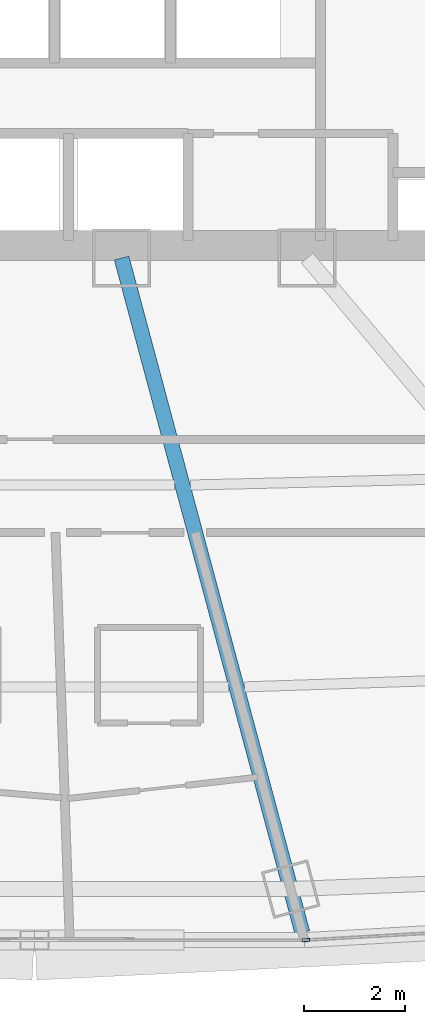
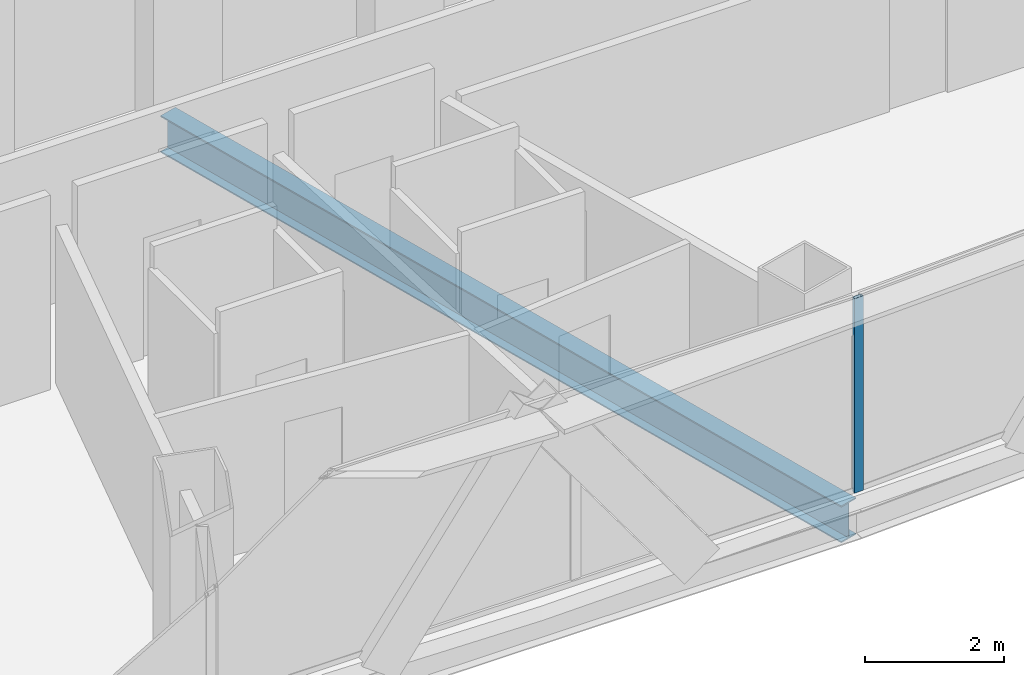
# One storey, part 12 of 39: 1 beam, 1 member, 1 element without a shape of its own.
"""IFC4 building model written with IfcOpenShell, lengths in metres."""

from ifc_helpers import new_model, si_unit, direction, frame, origin, origin_2d, place, context, subcontext, project, spatial, hollow_rectangle, i_section, extrude, source, transform, mapped, material, layer, layer_set, material_profile, profile_set, type_object, element, aggregate, save


model = new_model("IFC4")

# Units and contexts
model_context = context("Model", 3, precision=1e-05, world=origin(), true_north=direction((0.0, 1.0)))
body_context = subcontext(model_context, "Body", "Model", "MODEL_VIEW")
ifc_project = project(units=[si_unit("LENGTHUNIT", "METRE"), si_unit("AREAUNIT", "SQUARE_METRE"), si_unit("VOLUMEUNIT", "CUBIC_METRE"), si_unit("PLANEANGLEUNIT", "RADIAN"), si_unit("MASSUNIT", "GRAM", prefix="KILO"), si_unit("THERMODYNAMICTEMPERATUREUNIT", "KELVIN"), si_unit("POWERUNIT", "WATT")], contexts=[model_context])

# Site, building, storey
site_placement = place(None, origin())
site = spatial("IfcSite", under=ifc_project, at=site_placement, CompositionType="ELEMENT")
building_placement = place(site_placement, origin())
building = spatial("IfcBuilding", under=site, at=building_placement, Name="Yunzhuo Pagoda Commons", CompositionType="ELEMENT")
storey_placement = place(building_placement, frame((0.0, 0.0, 162.949951171875)))
storey = spatial("IfcBuildingStorey", under=building, at=storey_placement, Name="L41", CompositionType="ELEMENT", Elevation=162.949951171875)

# Beam
ifc_material_1 = material(Name="Structural steel Q355B", Category="steel")
ifc_material_profile_1 = material_profile(ifc_material_1, i_section(OverallWidth=0.300048828125, OverallDepth=0.64990234375, WebThickness=0.012939453125, FlangeThickness=0.02197265625, at=origin_2d()), Name="Structural steel Q355B")
ifc_profile_set_1 = profile_set([ifc_material_profile_1], Name="Structural steel Q355B")
beam_type = type_object("IfcBeamType", Name="B-RG2 Beam HN 650x300x13x22", PredefinedType="BEAM", material=ifc_profile_set_1)
shared_shape_1 = source(origin(), body_context, "Body", "SweptSolid", [
    extrude(i_section(OverallWidth=0.300048828125, OverallDepth=0.64990234375, WebThickness=0.012939453125, FlangeThickness=0.02197265625, at=origin_2d()), origin(), (0.0, 0.0, 1.0), 13.865478515625),
])
beam_placement = place(storey_placement, frame((53.317138671875, 13.85693359375, -0.5849609375), z_axis=(-0.258816469176, 0.965926516503, 0.0), x_axis=(-0.965926516503, -0.258816469176, 0.0)))
element("IfcBeam", 1, at=beam_placement, inside=storey, type_object=beam_type, Name="L41 radial floor girder F1C3", PredefinedType="BEAM", context=body_context, shape_type="MappedRepresentation", body=[
    mapped(shared_shape_1, transform((0.0, 0.0, 0.0), scale=1.0)),
])

# Curtain wall, member
ifc_material_2 = material(Name="Anodized aluminium 6063-T6", Category="aluminium")
ifc_layer = layer(ifc_material_2, 0.14990234375)
ifc_layer_set = layer_set([ifc_layer], Name="Anodized aluminium 6063-T6")
curtain_wall_type = type_object("IfcCurtainWallType", Name="CW-MID Mid-Zone Ribbon Curtain Wall", PredefinedType="NOTDEFINED", material=ifc_layer_set)
curtain_wall_placement = place(storey_placement, origin())
curtain_wall = element("IfcCurtainWall", 2, at=curtain_wall_placement, inside=storey, type_object=curtain_wall_type, Name="L41 curtain wall CW-L41-F1B4", PredefinedType="NOTDEFINED")
ifc_material_profile_2 = material_profile(ifc_material_2, hollow_rectangle(XDim=0.06005859375, YDim=0.14990234375, WallThickness=0.00390625, at=origin_2d()), Name="Anodized aluminium 6063-T6")
ifc_profile_set_2 = profile_set([ifc_material_profile_2], Name="Anodized aluminium 6063-T6")
member_type = type_object("IfcMemberType", Name="CW-MID-M Mullion RHS 150x60x4", PredefinedType="MULLION", material=ifc_profile_set_2)
shared_shape_2 = source(origin(), body_context, "Body", "SweptSolid", [
    extrude(hollow_rectangle(XDim=0.06005859375, YDim=0.14990234375, WallThickness=0.00390625, at=origin_2d()), origin(), (0.0, 0.0, 1.0), 3.420166015625),
])
member_placement = place(storey_placement, frame((53.386962890625, 13.708984375, 0.0), z_axis=(0.0, 0.0, 1.0), x_axis=(-0.056298716731, 0.998413969501, 0.0)))
member = element("IfcMember", 3, at=member_placement, type_object=member_type, Name="CW mullion 1", PredefinedType="MULLION", context=body_context, shape_type="MappedRepresentation", body=[
    mapped(shared_shape_2, transform((0.0, 0.0, 0.0), scale=1.0)),
])
aggregate(curtain_wall, [member])

save(model, "model.ifc")
